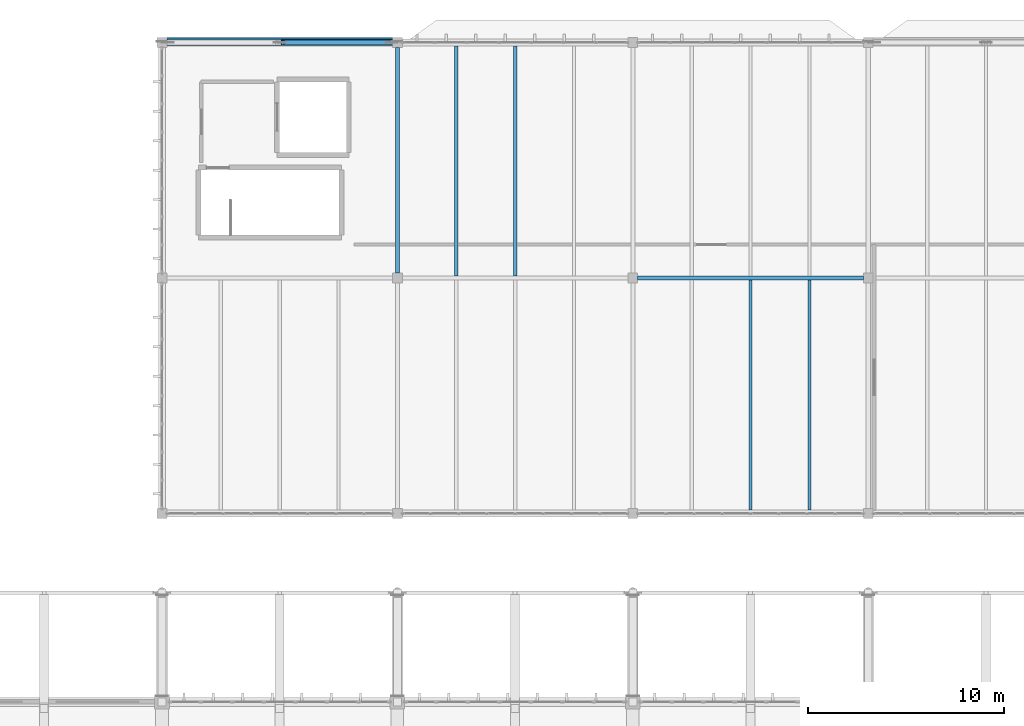
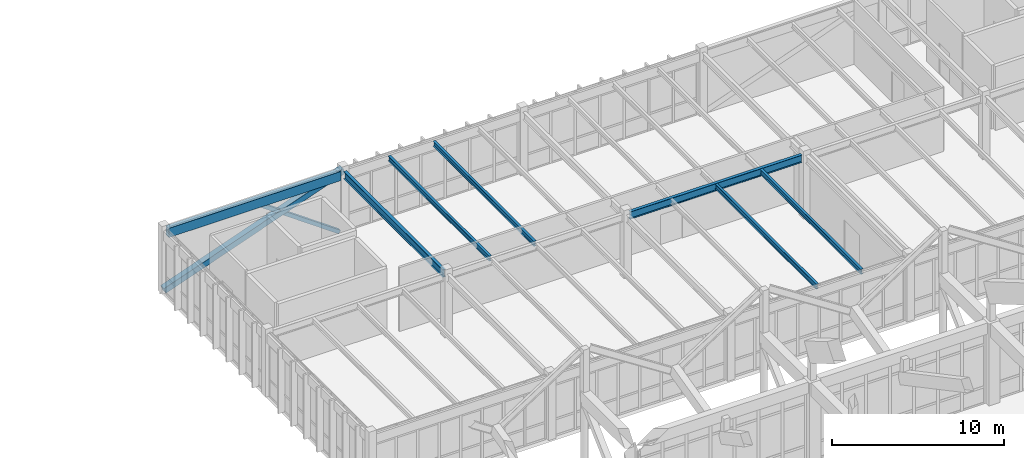
# One storey, part 96 of 236: 7 beams, 2 members.
"""IFC4 building model written with IfcOpenShell, lengths in metres."""

from ifc_helpers import new_model, si_unit, direction, frame, origin, origin_2d, place, context, subcontext, project, spatial, rectangle, hollow_rectangle, i_section, extrude, material, material_profile, profile_set, type_object, element, save


model = new_model("IFC4")

# Units and contexts
model_context = context("Model", 3, precision=1e-05, world=origin(), true_north=direction((0.0, 1.0)))
body_context = subcontext(model_context, "Body", "Model", "MODEL_VIEW")
ifc_project = project(units=[si_unit("LENGTHUNIT", "METRE"), si_unit("AREAUNIT", "SQUARE_METRE"), si_unit("VOLUMEUNIT", "CUBIC_METRE"), si_unit("PLANEANGLEUNIT", "RADIAN"), si_unit("MASSUNIT", "GRAM", prefix="KILO")], contexts=[model_context])

# Site, building, storey
site_placement = place(None, origin())
site = spatial("IfcSite", under=ifc_project, at=site_placement, CompositionType="ELEMENT")
building_placement = place(site_placement, origin())
building = spatial("IfcBuilding", under=site, at=building_placement, Name="Pandanus Reach Market Hall", CompositionType="ELEMENT")
storey_placement = place(building_placement, frame((0.0, 0.0, 5.39990234375)))
storey = spatial("IfcBuildingStorey", under=building, at=storey_placement, Name="L01", CompositionType="ELEMENT", Elevation=5.39990234375)

# Beams
ifc_material_1 = material(Name="Concrete N40 (40 MPa)", Category="concrete")
ifc_material_profile_1 = material_profile(ifc_material_1, rectangle(XDim=0.35009765625, YDim=0.64990234375, at=origin_2d()), Name="RC350x650", Category="LoadBearing")
ifc_profile_set_1 = profile_set([ifc_material_profile_1], Name="Concrete N40 (40 MPa)")
beam_type_1 = type_object("IfcBeamType", Name="BM-RC350-E", PredefinedType="SPANDREL", material=ifc_profile_set_1)
beam_placement = place(storey_placement, frame((60.248046875, 120.0, 4.135009765625), z_axis=(1.0, 0.0, 0.0), x_axis=(0.0, 1.0, 0.0)))
element("IfcBeam", 1, at=beam_placement, inside=storey, type_object=beam_type_1, Name="Framing beam BM-RC350-E L01.862", PredefinedType="SPANDREL", context=body_context, shape_type="SweptSolid", body=[
    extrude(rectangle(XDim=0.35009765625, YDim=0.64990234375, at=origin_2d()), origin(), (0.0, 0.0, 1.0), 11.50390625),
])
ifc_material_2 = material(Name="Steel Grade 350 (350 MPa)", Category="steel")
ifc_material_profile_2 = material_profile(ifc_material_2, i_section(OverallWidth=0.208984375, OverallDepth=0.532958984375, WebThickness=0.01025390625, FlangeThickness=0.015625, at=origin_2d()), Name="530UB92.4", Category="LoadBearing")
ifc_profile_set_2 = profile_set([ifc_material_profile_2], Name="Steel Grade 350 (350 MPa)")
beam_type_2 = type_object("IfcBeamType", Name="BM-UB530-I", PredefinedType="BEAM", material=ifc_profile_set_2)
for number, where, z_axis, x_axis, name in (
    (2, (84.248046875, 108.0, 4.193115234375), (1.0, 0.0, 0.0), (0.0, 1.0, 0.0), "Framing beam BM-UB530-I L01.857"),
    (3, (72.0, 108.248046875, 4.193115234375), (0.0, 1.0, 0.0), (-1.0, 0.0, 0.0), "Framing beam BM-UB530-I L01.872"),
):
    element("IfcBeam", number, at=place(storey_placement, frame(where, z_axis=z_axis, x_axis=x_axis)), inside=storey, type_object=beam_type_2, Name=name, PredefinedType="BEAM", context=body_context, shape_type="SweptSolid", body=[
        extrude(i_section(OverallWidth=0.208984375, OverallDepth=0.532958984375, WebThickness=0.01025390625, FlangeThickness=0.015625, at=origin_2d()), origin(), (0.0, 0.0, 1.0), 11.50390625),
    ])

# Member
ifc_material_profile_3 = material_profile(ifc_material_2, hollow_rectangle(XDim=0.25, YDim=0.25, WallThickness=0.010009765625, at=origin_2d()), Name="250x250x10.0SHS", Category="LoadBearing")
ifc_profile_set_3 = profile_set([ifc_material_profile_3], Name="Steel Grade 350 (350 MPa)")
member_type_1 = type_object("IfcMemberType", Name="BR-SHS250-E", PredefinedType="BRACE", material=ifc_profile_set_3)
member_1_placement = place(storey_placement, frame((71.7099609375, 120.0, 0.150146484375), z_axis=(-0.815223104533, 0.0, 0.579147036456), x_axis=(0.0, -1.0, 0.0)))
element("IfcMember", 4, at=member_1_placement, inside=storey, type_object=member_type_1, Name="Chevron brace BR-SHS250-E 7B", PredefinedType="BRACE", context=body_context, shape_type="SweptSolid", body=[
    extrude(hollow_rectangle(XDim=0.25, YDim=0.25, WallThickness=0.010009765625, at=origin_2d()), origin(), (0.0, 0.0, 1.0), 6.8203125),
])

# Beams
ifc_material_profile_4 = material_profile(ifc_material_2, i_section(OverallWidth=0.1708984375, OverallDepth=0.35595703125, WebThickness=0.00732421875, FlangeThickness=0.011474609375, at=origin_2d()), Name="360UB50.7", Category="LoadBearing")
ifc_profile_set_4 = profile_set([ifc_material_profile_4], Name="Steel Grade 350 (350 MPa)")
beam_type_3 = type_object("IfcBeamType", Name="JS-UB360-I", PredefinedType="JOIST", material=ifc_profile_set_4)
for number, where, z_axis, x_axis, name in (
    (5, (75.0, 108.1025390625, 4.28173828125), (0.0, 1.0, 0.0), (-1.0, 0.0, 0.0), "Secondary joist JS-UB360-I L01.891"),
    (6, (78.0, 108.1025390625, 4.28173828125), (0.0, 1.0, 0.0), (-1.0, 0.0, 0.0), "Secondary joist JS-UB360-I L01.892"),
    (7, (90.0, 96.173095703125, 4.28173828125), (0.0, 1.0, 0.0), (-1.0, 0.0, 0.0), "Secondary joist JS-UB360-I L01.895"),
    (8, (93.0, 96.173095703125, 4.28173828125), (0.0, 1.0, 0.0), (-1.0, 0.0, 0.0), "Secondary joist JS-UB360-I L01.896"),
):
    element("IfcBeam", number, at=place(storey_placement, frame(where, z_axis=z_axis, x_axis=x_axis)), inside=storey, type_object=beam_type_3, Name=name, PredefinedType="JOIST", context=body_context, shape_type="SweptSolid", body=[
        extrude(i_section(OverallWidth=0.1708984375, OverallDepth=0.35595703125, WebThickness=0.00732421875, FlangeThickness=0.011474609375, at=origin_2d()), origin(), (0.0, 0.0, 1.0), 11.724365234375),
    ])

# Member
ifc_material_3 = material(Name="Concrete N50 (50 MPa)", Category="concrete")
ifc_material_profile_5 = material_profile(ifc_material_3, rectangle(XDim=0.39990234375, YDim=0.39990234375, at=origin_2d()), Name="RC400x400", Category="LoadBearing")
ifc_profile_set_5 = profile_set([ifc_material_profile_5], Name="Concrete N50 (50 MPa)")
member_type_2 = type_object("IfcMemberType", Name="VS-RC400-E", PredefinedType="STRUT", material=ifc_profile_set_5)
member_2_placement = place(storey_placement, frame((60.0, 120.050048828125, 0.10009765625), z_axis=(0.941385198431, 0.0, 0.337333526611), x_axis=(0.0, 1.0, 0.0)))
element("IfcMember", 9, at=member_2_placement, inside=storey, type_object=member_type_2, Name="Sculpted concrete diagrid rib 15", PredefinedType="STRUT", context=body_context, shape_type="SweptSolid", body=[
    extrude(rectangle(XDim=0.39990234375, YDim=0.39990234375, at=origin_2d()), origin(), (0.0, 0.0, 1.0), 12.7470703125),
])

save(model, "model.ifc")
